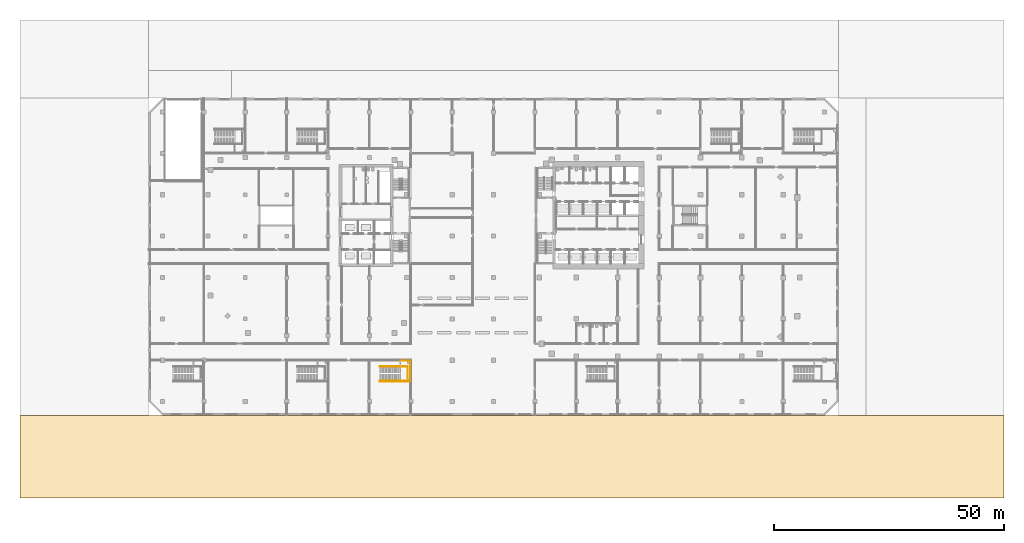
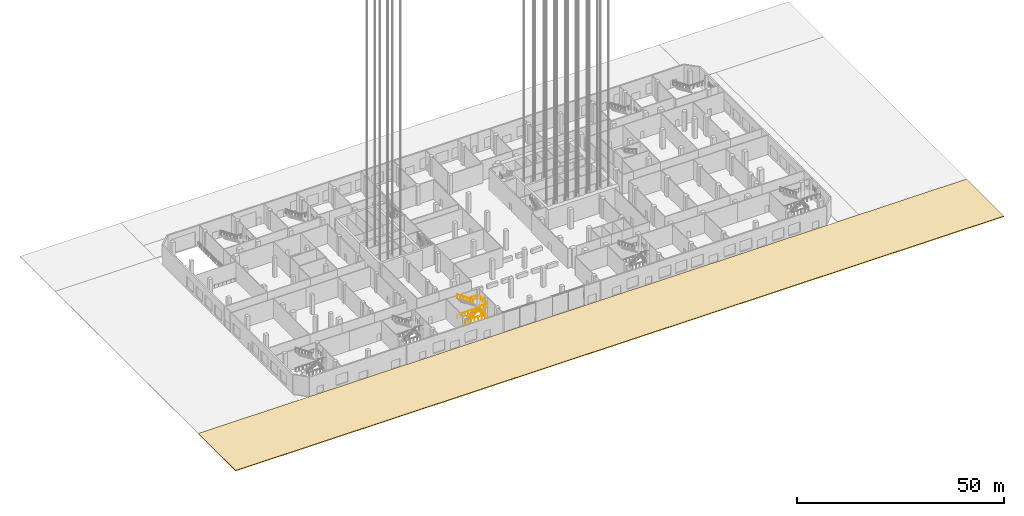
# One storey, part 47 of 55: 5 railings, 1 covering.
"""IFC4 building model written with IfcOpenShell, lengths in metres."""

from ifc_helpers import new_model, si_unit, direction, frame, origin, origin_2d, place, context, subcontext, project, spatial, polyline, circle, outline, extrude, material, layer, layer_set, type_object, element, save


model = new_model("IFC4")

# Units and contexts
model_context = context("Model", 3, precision=1e-05, world=origin(), true_north=direction((0.0, 1.0)))
body_context = subcontext(model_context, "Body", "Model", "MODEL_VIEW")
ifc_project = project(units=[si_unit("LENGTHUNIT", "METRE"), si_unit("AREAUNIT", "SQUARE_METRE"), si_unit("VOLUMEUNIT", "CUBIC_METRE"), si_unit("PLANEANGLEUNIT", "RADIAN"), si_unit("MASSUNIT", "GRAM", prefix="KILO")], contexts=[model_context])

# Site, building, storey
site_placement = place(None, origin())
site = spatial("IfcSite", under=ifc_project, at=site_placement, CompositionType="ELEMENT")
building_placement = place(site_placement, origin())
building = spatial("IfcBuilding", under=site, at=building_placement, Name="Cinnabar Reach Civic Tower", CompositionType="ELEMENT")
storey_placement = place(building_placement, origin())
storey = spatial("IfcBuildingStorey", under=building, at=storey_placement, Name="L00", CompositionType="ELEMENT", Elevation=0.0)

# Covering
ifc_material_1 = material(Name="Granite paving on sand and cement bedding", Category="masonry")
ifc_layer = layer(ifc_material_1, 0.2)
ifc_layer_set = layer_set([ifc_layer], Name="Podium granite paving 200")
covering_type = type_object("IfcCoveringType", Name="Podium granite paving 200", PredefinedType="USERDEFINED", material=ifc_layer_set)
covering_placement = place(storey_placement, frame((0.0, 0.0, -0.2)))
element("IfcCovering", 1, at=covering_placement, inside=storey, type_object=covering_type, Name="Promenade paving", ObjectType="PAVING", PredefinedType="USERDEFINED", context=body_context, shape_type="SweptSolid", body=[
    extrude(outline(polyline([(102.0, -30.0), (102.0, -12.0), (-112.0, -12.0), (-112.0, -30.0), (102.0, -30.0)])), origin(), (0.0, 0.0, 1.0), 0.2),
])

# Railings
ifc_material_2 = material(Name="Stainless steel and glass", Category="steel")
railing_type_1 = type_object("IfcRailingType", Name="Podium guard 1100", PredefinedType="GUARDRAIL", material=ifc_material_2)
railing_1_placement = place(storey_placement, frame((-29.28, -1.35, 3.0)))
element("IfcRailing", 2, at=railing_1_placement, inside=storey, type_object=railing_type_1, Name="Stair guard PS9 L00", PredefinedType="GUARDRAIL", context=body_context, shape_type="SweptSolid", body=[
    extrude(circle(Radius=0.024, at=origin_2d()), frame((0.0, 0.0, 1.076), z_axis=(-0.827413642594, 0.0, 0.561592970086), x_axis=(0.0, -1.0, 0.0)), (0.0, 0.0, 1.0), 5.3419),
    extrude(circle(Radius=0.021, at=origin_2d()), origin(), (0.0, 0.0, 1.0), 1.052),
    extrude(circle(Radius=0.021, at=origin_2d()), frame((-0.884, 0.0, 0.6)), (0.0, 0.0, 1.0), 1.052),
    extrude(circle(Radius=0.021, at=origin_2d()), frame((-1.768, 0.0, 1.2)), (0.0, 0.0, 1.0), 1.052),
    extrude(circle(Radius=0.021, at=origin_2d()), frame((-2.652, 0.0, 1.8)), (0.0, 0.0, 1.0), 1.052),
    extrude(circle(Radius=0.021, at=origin_2d()), frame((-3.536, 0.0, 2.4)), (0.0, 0.0, 1.0), 1.052),
    extrude(circle(Radius=0.021, at=origin_2d()), frame((-4.42, 0.0, 3.0)), (0.0, 0.0, 1.0), 1.052),
])
railing_2_placement = place(storey_placement, frame((-29.28, -0.1, 3.0)))
element("IfcRailing", 3, at=railing_2_placement, inside=storey, type_object=railing_type_1, Name="Landing guard PS9 L00", PredefinedType="GUARDRAIL", context=body_context, shape_type="SweptSolid", body=[
    extrude(circle(Radius=0.024, at=origin_2d()), frame((0.0, 0.0, 1.076), z_axis=(1.0, 0.0, 0.0), x_axis=(0.0, 1.0, 0.0)), (0.0, 0.0, 1.0), 2.18),
    extrude(circle(Radius=0.024, at=origin_2d()), frame((2.18, 0.0, 1.076), z_axis=(0.0, -1.0, 0.0), x_axis=(1.0, 0.0, 0.0)), (0.0, 0.0, 1.0), 4.4),
    extrude(circle(Radius=0.021, at=origin_2d()), origin(), (0.0, 0.0, 1.0), 1.052),
    extrude(circle(Radius=0.021, at=origin_2d()), frame((1.09, 0.0, 0.0)), (0.0, 0.0, 1.0), 1.052),
    extrude(circle(Radius=0.021, at=origin_2d()), frame((2.18, 0.0, 0.0)), (0.0, 0.0, 1.0), 1.052),
    extrude(circle(Radius=0.021, at=origin_2d()), frame((2.18, -1.1, 0.0)), (0.0, 0.0, 1.0), 1.052),
    extrude(circle(Radius=0.021, at=origin_2d()), frame((2.18, -2.2, 0.0)), (0.0, 0.0, 1.0), 1.052),
    extrude(circle(Radius=0.021, at=origin_2d()), frame((2.18, -3.3, 0.0)), (0.0, 0.0, 1.0), 1.052),
    extrude(circle(Radius=0.021, at=origin_2d()), frame((2.18, -4.4, 0.0)), (0.0, 0.0, 1.0), 1.052),
])
railing_3_placement = place(storey_placement, frame((-33.7, -4.6, 0.0)))
element("IfcRailing", 4, at=railing_3_placement, inside=storey, type_object=railing_type_1, Name="Stair wall side guard PS9 L00", PredefinedType="GUARDRAIL", context=body_context, shape_type="SweptSolid", body=[
    extrude(circle(Radius=0.024, at=origin_2d()), frame((0.0, 0.0, 1.076), z_axis=(0.827413642594, 0.0, 0.561592970086), x_axis=(0.0, 1.0, 0.0)), (0.0, 0.0, 1.0), 5.3419),
    extrude(circle(Radius=0.024, at=origin_2d()), frame((4.42, 0.0, 4.076), z_axis=(1.0, 0.0, 0.0), x_axis=(0.0, 1.0, 0.0)), (0.0, 0.0, 1.0), 2.18),
    extrude(circle(Radius=0.021, at=origin_2d()), origin(), (0.0, 0.0, 1.0), 1.052),
    extrude(circle(Radius=0.021, at=origin_2d()), frame((0.884, 0.0, 0.6)), (0.0, 0.0, 1.0), 1.052),
    extrude(circle(Radius=0.021, at=origin_2d()), frame((1.768, 0.0, 1.2)), (0.0, 0.0, 1.0), 1.052),
    extrude(circle(Radius=0.021, at=origin_2d()), frame((2.652, 0.0, 1.8)), (0.0, 0.0, 1.0), 1.052),
    extrude(circle(Radius=0.021, at=origin_2d()), frame((3.536, 0.0, 2.4)), (0.0, 0.0, 1.0), 1.052),
    extrude(circle(Radius=0.021, at=origin_2d()), frame((4.42, 0.0, 3.0)), (0.0, 0.0, 1.0), 1.052),
    extrude(circle(Radius=0.021, at=origin_2d()), frame((5.51, 0.0, 3.0)), (0.0, 0.0, 1.0), 1.052),
    extrude(circle(Radius=0.021, at=origin_2d()), frame((6.6, 0.0, 3.0)), (0.0, 0.0, 1.0), 1.052),
])
railing_4_placement = place(storey_placement, frame((-33.7, -4.45, 0.0)))
element("IfcRailing", 5, at=railing_4_placement, inside=storey, type_object=railing_type_1, Name="Stair well guard PS9 L00", PredefinedType="GUARDRAIL", context=body_context, shape_type="SweptSolid", body=[
    extrude(circle(Radius=0.024, at=origin_2d()), frame((0.0, 0.0, 1.076), z_axis=(1.0, 0.0, 0.0), x_axis=(0.0, 1.0, 0.0)), (0.0, 0.0, 1.0), 6.05),
    extrude(circle(Radius=0.024, at=origin_2d()), frame((6.05, 0.0, 1.076), z_axis=(0.0, 1.0, 0.0), x_axis=(-1.0, 0.0, 0.0)), (0.0, 0.0, 1.0), 3.1),
    extrude(circle(Radius=0.024, at=origin_2d()), frame((6.05, 3.1, 1.076), z_axis=(-1.0, 0.0, 0.0), x_axis=(0.0, -1.0, 0.0)), (0.0, 0.0, 1.0), 6.05),
    extrude(circle(Radius=0.021, at=origin_2d()), origin(), (0.0, 0.0, 1.0), 1.052),
    extrude(circle(Radius=0.021, at=origin_2d()), frame((1.0083, 0.0, 0.0)), (0.0, 0.0, 1.0), 1.052),
    extrude(circle(Radius=0.021, at=origin_2d()), frame((2.0167, 0.0, 0.0)), (0.0, 0.0, 1.0), 1.052),
    extrude(circle(Radius=0.021, at=origin_2d()), frame((3.025, 0.0, 0.0)), (0.0, 0.0, 1.0), 1.052),
    extrude(circle(Radius=0.021, at=origin_2d()), frame((4.0333, 0.0, 0.0)), (0.0, 0.0, 1.0), 1.052),
    extrude(circle(Radius=0.021, at=origin_2d()), frame((5.0417, 0.0, 0.0)), (0.0, 0.0, 1.0), 1.052),
    extrude(circle(Radius=0.021, at=origin_2d()), frame((6.05, 0.0, 0.0)), (0.0, 0.0, 1.0), 1.052),
    extrude(circle(Radius=0.021, at=origin_2d()), frame((6.05, 1.0333, 0.0)), (0.0, 0.0, 1.0), 1.052),
    extrude(circle(Radius=0.021, at=origin_2d()), frame((6.05, 2.0667, 0.0)), (0.0, 0.0, 1.0), 1.052),
    extrude(circle(Radius=0.021, at=origin_2d()), frame((6.05, 3.1, 0.0)), (0.0, 0.0, 1.0), 1.052),
    extrude(circle(Radius=0.021, at=origin_2d()), frame((5.0417, 3.1, 0.0)), (0.0, 0.0, 1.0), 1.052),
    extrude(circle(Radius=0.021, at=origin_2d()), frame((4.0333, 3.1, 0.0)), (0.0, 0.0, 1.0), 1.052),
    extrude(circle(Radius=0.021, at=origin_2d()), frame((3.025, 3.1, 0.0)), (0.0, 0.0, 1.0), 1.052),
    extrude(circle(Radius=0.021, at=origin_2d()), frame((2.0167, 3.1, 0.0)), (0.0, 0.0, 1.0), 1.052),
    extrude(circle(Radius=0.021, at=origin_2d()), frame((1.0083, 3.1, 0.0)), (0.0, 0.0, 1.0), 1.052),
    extrude(circle(Radius=0.021, at=origin_2d()), frame((0.0, 3.1, 0.0)), (0.0, 0.0, 1.0), 1.052),
])
ifc_material_3 = material(Name="Stainless steel", Category="steel")
railing_type_2 = type_object("IfcRailingType", Name="Podium stair handrail 900", PredefinedType="HANDRAIL", material=ifc_material_3)
railing_5_placement = place(storey_placement, frame((-33.7, -4.45, 0.0)))
element("IfcRailing", 6, at=railing_5_placement, inside=storey, type_object=railing_type_2, Name="Stair handrail PS9 L00", PredefinedType="HANDRAIL", context=body_context, shape_type="SweptSolid", body=[
    extrude(circle(Radius=0.024, at=origin_2d()), frame((0.0, 0.0, 0.876), z_axis=(0.827413642594, 0.0, 0.561592970086), x_axis=(0.0, 1.0, 0.0)), (0.0, 0.0, 1.0), 5.3419),
    extrude(circle(Radius=0.021, at=origin_2d()), origin(), (0.0, 0.0, 1.0), 0.852),
    extrude(circle(Radius=0.021, at=origin_2d()), frame((0.884, 0.0, 0.6)), (0.0, 0.0, 1.0), 0.852),
    extrude(circle(Radius=0.021, at=origin_2d()), frame((1.768, 0.0, 1.2)), (0.0, 0.0, 1.0), 0.852),
    extrude(circle(Radius=0.021, at=origin_2d()), frame((2.652, 0.0, 1.8)), (0.0, 0.0, 1.0), 0.852),
    extrude(circle(Radius=0.021, at=origin_2d()), frame((3.536, 0.0, 2.4)), (0.0, 0.0, 1.0), 0.852),
    extrude(circle(Radius=0.021, at=origin_2d()), frame((4.42, 0.0, 3.0)), (0.0, 0.0, 1.0), 0.852),
])

save(model, "model.ifc")
